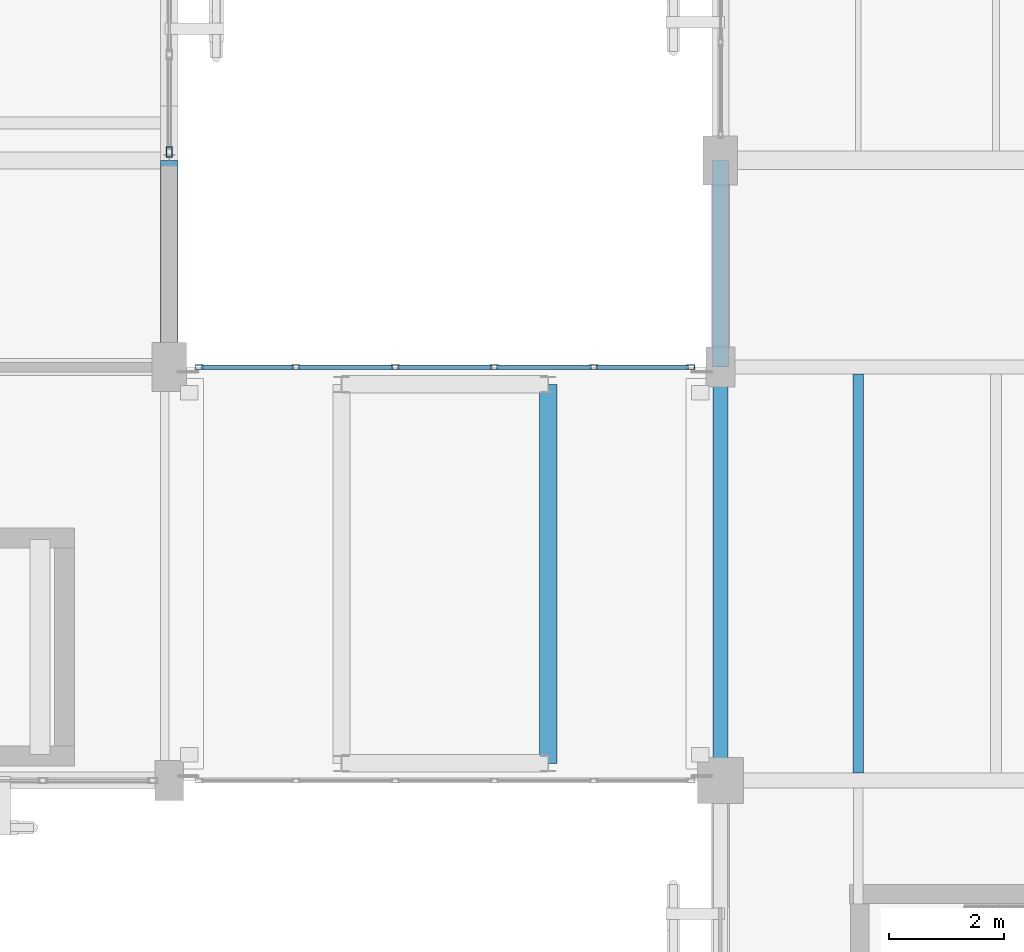
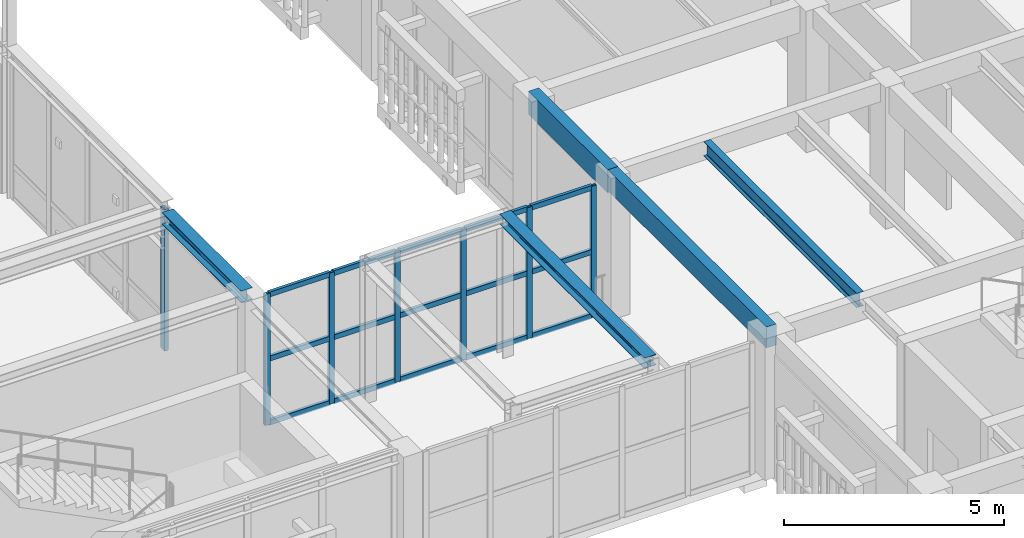
# One storey, part 80 of 170: 22 members, 5 beams, 2 elements without a shape of their own.
"""IFC4 building model written with IfcOpenShell, lengths in metres."""

from ifc_helpers import new_model, si_unit, direction, frame, origin, origin_2d, place, context, subcontext, project, spatial, rectangle, hollow_rectangle, i_section, extrude, material, layer, layer_set, material_profile, profile_set, type_object, element, aggregate, save


model = new_model("IFC4")

# Units and contexts
model_context = context("Model", 3, precision=1e-05, world=origin(), true_north=direction((0.0, 1.0)))
body_context = subcontext(model_context, "Body", "Model", "MODEL_VIEW")
ifc_project = project(units=[si_unit("LENGTHUNIT", "METRE"), si_unit("AREAUNIT", "SQUARE_METRE"), si_unit("VOLUMEUNIT", "CUBIC_METRE"), si_unit("PLANEANGLEUNIT", "RADIAN"), si_unit("MASSUNIT", "GRAM", prefix="KILO")], contexts=[model_context])

# Site, building, storey
site_placement = place(None, origin())
site = spatial("IfcSite", under=ifc_project, at=site_placement, CompositionType="ELEMENT")
building_placement = place(site_placement, origin())
building = spatial("IfcBuilding", under=site, at=building_placement, Name="Mazaris Harbour Polytechnic", CompositionType="ELEMENT")
storey_placement = place(building_placement, frame((0.0, 0.0, 5.39990234375)))
storey = spatial("IfcBuildingStorey", under=building, at=storey_placement, Name="L01", CompositionType="ELEMENT", Elevation=5.39990234375)

# Curtain wall, member
ifc_material_1 = material(Name="Anodised Bronze Aluminium and Low-E Glass", Category="aluminium")
ifc_layer_1 = layer(ifc_material_1, 0.14990234375, Name="Anodised Bronze Aluminium and Low-E Glass")
ifc_layer_set_1 = layer_set([ifc_layer_1], Name="Anodised Bronze Aluminium and Low-E Glass")
curtain_wall_type_1 = type_object("IfcCurtainWallType", Name="Workshop Clerestory Curtain Wall", PredefinedType="NOTDEFINED", material=ifc_layer_set_1)
curtain_wall_1_placement = place(storey_placement, origin())
curtain_wall_1 = element("IfcCurtainWall", 1, at=curtain_wall_1_placement, inside=storey, type_object=curtain_wall_type_1, Name="V1 L01 Curtain Wall 23", PredefinedType="NOTDEFINED")
ifc_material_2 = material(Name="Anodised Bronze Steel S355", Category="steel")
ifc_material_profile_1 = material_profile(ifc_material_2, hollow_rectangle(XDim=0.10009765625, YDim=0.179931640625, WallThickness=0.008056640625, at=origin_2d()), Name="RHS 100x180x8.0")
ifc_profile_set_1 = profile_set([ifc_material_profile_1], Name="Anodised Bronze Steel S355")
member_type_1 = type_object("IfcMemberType", Name="Curtain Mullion RHS100x180", PredefinedType="MULLION", material=ifc_profile_set_1)
member_1_placement = place(storey_placement, frame((112.800048828125, 86.547119140625, 0.0), z_axis=(0.0, 0.0, 1.0), x_axis=(1.0, 0.0, 0.0)))
member_1 = element("IfcMember", 2, at=member_1_placement, type_object=member_type_1, Name="CW-04 mullion 5", PredefinedType="MULLION", context=body_context, shape_type="SweptSolid", body=[
    extrude(hollow_rectangle(XDim=0.10009765625, YDim=0.179931640625, WallThickness=0.008056640625, at=origin_2d()), origin(), (0.0, 0.0, 1.0), 3.920166015625),
])
aggregate(curtain_wall_1, [member_1])

# Curtain wall, members
ifc_material_3 = material(Name="Anodised Bronze Aluminium and Low-E Glass", Category="aluminium")
ifc_layer_2 = layer(ifc_material_3, 0.139892578125, Name="Anodised Bronze Aluminium and Low-E Glass")
ifc_layer_set_2 = layer_set([ifc_layer_2], Name="Anodised Bronze Aluminium and Low-E Glass")
curtain_wall_type_2 = type_object("IfcCurtainWallType", Name="Seismic Link Bridge Glazing", PredefinedType="NOTDEFINED", material=ifc_layer_set_2)
curtain_wall_2_placement = place(storey_placement, origin())
curtain_wall_2 = element("IfcCurtainWall", 3, at=curtain_wall_2_placement, inside=storey, type_object=curtain_wall_type_2, Name="PB-E2 L01 Bridge Glazing", PredefinedType="NOTDEFINED")
ifc_material_4 = material(Name="Anodised Bronze Steel S355", Category="steel")
ifc_material_profile_2 = material_profile(ifc_material_4, hollow_rectangle(XDim=0.080078125, YDim=0.139892578125, WallThickness=0.00634765625, at=origin_2d()), Name="RHS 80x140x6.3")
ifc_profile_set_2 = profile_set([ifc_material_profile_2], Name="Anodised Bronze Steel S355")
member_type_2 = type_object("IfcMemberType", Name="Curtain Mullion RHS80x140", PredefinedType="MULLION", material=ifc_profile_set_2)
member_2_placement = place(storey_placement, frame((121.8798828125, 82.800048828125, 0.0), z_axis=(0.0, 0.0, 1.0), x_axis=(0.0, -1.0, 0.0)))
member_2 = element("IfcMember", 4, at=member_2_placement, type_object=member_type_2, Name="CW-05 mullion 1", PredefinedType="MULLION", context=body_context, shape_type="SweptSolid", body=[
    extrude(hollow_rectangle(XDim=0.080078125, YDim=0.139892578125, WallThickness=0.00634765625, at=origin_2d()), origin(), (0.0, 0.0, 1.0), 3.635009765625),
])
member_3_placement = place(storey_placement, frame((120.19189453125, 82.800048828125, 0.0), z_axis=(0.0, 0.0, 1.0), x_axis=(0.0, -1.0, 0.0)))
member_3 = element("IfcMember", 5, at=member_3_placement, type_object=member_type_2, Name="CW-05 mullion 2", PredefinedType="MULLION", context=body_context, shape_type="SweptSolid", body=[
    extrude(hollow_rectangle(XDim=0.080078125, YDim=0.139892578125, WallThickness=0.00634765625, at=origin_2d()), origin(), (0.0, 0.0, 1.0), 3.635009765625),
])
member_4_placement = place(storey_placement, frame((118.464111328125, 82.800048828125, 0.0), z_axis=(0.0, 0.0, 1.0), x_axis=(0.0, -1.0, 0.0)))
member_4 = element("IfcMember", 6, at=member_4_placement, type_object=member_type_2, Name="CW-05 mullion 3", PredefinedType="MULLION", context=body_context, shape_type="SweptSolid", body=[
    extrude(hollow_rectangle(XDim=0.080078125, YDim=0.139892578125, WallThickness=0.00634765625, at=origin_2d()), origin(), (0.0, 0.0, 1.0), 3.635009765625),
])
member_5_placement = place(storey_placement, frame((116.736083984375, 82.800048828125, 0.0), z_axis=(0.0, 0.0, 1.0), x_axis=(0.0, -1.0, 0.0)))
member_5 = element("IfcMember", 7, at=member_5_placement, type_object=member_type_2, Name="CW-05 mullion 4", PredefinedType="MULLION", context=body_context, shape_type="SweptSolid", body=[
    extrude(hollow_rectangle(XDim=0.080078125, YDim=0.139892578125, WallThickness=0.00634765625, at=origin_2d()), origin(), (0.0, 0.0, 1.0), 3.635009765625),
])
member_6_placement = place(storey_placement, frame((115.008056640625, 82.800048828125, 0.0), z_axis=(0.0, 0.0, 1.0), x_axis=(0.0, -1.0, 0.0)))
member_6 = element("IfcMember", 8, at=member_6_placement, type_object=member_type_2, Name="CW-05 mullion 5", PredefinedType="MULLION", context=body_context, shape_type="SweptSolid", body=[
    extrude(hollow_rectangle(XDim=0.080078125, YDim=0.139892578125, WallThickness=0.00634765625, at=origin_2d()), origin(), (0.0, 0.0, 1.0), 3.635009765625),
])
member_7_placement = place(storey_placement, frame((113.320068359375, 82.800048828125, 0.0), z_axis=(0.0, 0.0, 1.0), x_axis=(0.0, -1.0, 0.0)))
member_7 = element("IfcMember", 9, at=member_7_placement, type_object=member_type_2, Name="CW-05 mullion 6", PredefinedType="MULLION", context=body_context, shape_type="SweptSolid", body=[
    extrude(hollow_rectangle(XDim=0.080078125, YDim=0.139892578125, WallThickness=0.00634765625, at=origin_2d()), origin(), (0.0, 0.0, 1.0), 3.635009765625),
])
ifc_material_5 = material(Name="Anodised Bronze Steel S355", Category="steel")
ifc_material_profile_3 = material_profile(ifc_material_5, hollow_rectangle(XDim=0.080078125, YDim=0.139892578125, WallThickness=0.00634765625, at=origin_2d()), Name="RHS 80x140x6.3")
ifc_profile_set_3 = profile_set([ifc_material_profile_3], Name="Anodised Bronze Steel S355")
member_type_3 = type_object("IfcMemberType", Name="Curtain Transom RHS80x140", PredefinedType="USERDEFINED", material=ifc_profile_set_3)
member_8_placement = place(storey_placement, frame((121.840087890625, 82.800048828125, 0.0400390625), z_axis=(-1.0, 0.0, 0.0), x_axis=(0.0, -1.0, 0.0)))
member_8 = element("IfcMember", 10, at=member_8_placement, type_object=member_type_3, Name="CW-05 transom 1.1", ObjectType="TRANSOM", PredefinedType="USERDEFINED", context=body_context, shape_type="SweptSolid", body=[
    extrude(hollow_rectangle(XDim=0.080078125, YDim=0.139892578125, WallThickness=0.00634765625, at=origin_2d()), origin(), (0.0, 0.0, 1.0), 1.608154296875),
])
member_9_placement = place(storey_placement, frame((121.840087890625, 82.800048828125, 1.817626953125), z_axis=(-1.0, 0.0, 0.0), x_axis=(0.0, -1.0, 0.0)))
member_9 = element("IfcMember", 11, at=member_9_placement, type_object=member_type_3, Name="CW-05 transom 1.2", ObjectType="TRANSOM", PredefinedType="USERDEFINED", context=body_context, shape_type="SweptSolid", body=[
    extrude(hollow_rectangle(XDim=0.080078125, YDim=0.139892578125, WallThickness=0.00634765625, at=origin_2d()), origin(), (0.0, 0.0, 1.0), 1.608154296875),
])
member_10_placement = place(storey_placement, frame((121.840087890625, 82.800048828125, 3.59521484375), z_axis=(-1.0, 0.0, 0.0), x_axis=(0.0, -1.0, 0.0)))
member_10 = element("IfcMember", 12, at=member_10_placement, type_object=member_type_3, Name="CW-05 transom 1.3", ObjectType="TRANSOM", PredefinedType="USERDEFINED", context=body_context, shape_type="SweptSolid", body=[
    extrude(hollow_rectangle(XDim=0.080078125, YDim=0.139892578125, WallThickness=0.00634765625, at=origin_2d()), origin(), (0.0, 0.0, 1.0), 1.608154296875),
])
member_11_placement = place(storey_placement, frame((120.152099609375, 82.800048828125, 0.0400390625), z_axis=(-1.0, 0.0, 0.0), x_axis=(0.0, -1.0, 0.0)))
member_11 = element("IfcMember", 13, at=member_11_placement, type_object=member_type_3, Name="CW-05 transom 2.1", ObjectType="TRANSOM", PredefinedType="USERDEFINED", context=body_context, shape_type="SweptSolid", body=[
    extrude(hollow_rectangle(XDim=0.080078125, YDim=0.139892578125, WallThickness=0.00634765625, at=origin_2d()), origin(), (0.0, 0.0, 1.0), 1.648193359375),
])
member_12_placement = place(storey_placement, frame((120.152099609375, 82.800048828125, 1.817626953125), z_axis=(-1.0, 0.0, 0.0), x_axis=(0.0, -1.0, 0.0)))
member_12 = element("IfcMember", 14, at=member_12_placement, type_object=member_type_3, Name="CW-05 transom 2.2", ObjectType="TRANSOM", PredefinedType="USERDEFINED", context=body_context, shape_type="SweptSolid", body=[
    extrude(hollow_rectangle(XDim=0.080078125, YDim=0.139892578125, WallThickness=0.00634765625, at=origin_2d()), origin(), (0.0, 0.0, 1.0), 1.648193359375),
])
member_13_placement = place(storey_placement, frame((120.152099609375, 82.800048828125, 3.59521484375), z_axis=(-1.0, 0.0, 0.0), x_axis=(0.0, -1.0, 0.0)))
member_13 = element("IfcMember", 15, at=member_13_placement, type_object=member_type_3, Name="CW-05 transom 2.3", ObjectType="TRANSOM", PredefinedType="USERDEFINED", context=body_context, shape_type="SweptSolid", body=[
    extrude(hollow_rectangle(XDim=0.080078125, YDim=0.139892578125, WallThickness=0.00634765625, at=origin_2d()), origin(), (0.0, 0.0, 1.0), 1.648193359375),
])
member_14_placement = place(storey_placement, frame((118.424072265625, 82.800048828125, 0.0400390625), z_axis=(-1.0, 0.0, 0.0), x_axis=(0.0, -1.0, 0.0)))
member_14 = element("IfcMember", 16, at=member_14_placement, type_object=member_type_3, Name="CW-05 transom 3.1", ObjectType="TRANSOM", PredefinedType="USERDEFINED", context=body_context, shape_type="SweptSolid", body=[
    extrude(hollow_rectangle(XDim=0.080078125, YDim=0.139892578125, WallThickness=0.00634765625, at=origin_2d()), origin(), (0.0, 0.0, 1.0), 1.648193359375),
])
member_15_placement = place(storey_placement, frame((118.424072265625, 82.800048828125, 1.817626953125), z_axis=(-1.0, 0.0, 0.0), x_axis=(0.0, -1.0, 0.0)))
member_15 = element("IfcMember", 17, at=member_15_placement, type_object=member_type_3, Name="CW-05 transom 3.2", ObjectType="TRANSOM", PredefinedType="USERDEFINED", context=body_context, shape_type="SweptSolid", body=[
    extrude(hollow_rectangle(XDim=0.080078125, YDim=0.139892578125, WallThickness=0.00634765625, at=origin_2d()), origin(), (0.0, 0.0, 1.0), 1.648193359375),
])
member_16_placement = place(storey_placement, frame((118.424072265625, 82.800048828125, 3.59521484375), z_axis=(-1.0, 0.0, 0.0), x_axis=(0.0, -1.0, 0.0)))
member_16 = element("IfcMember", 18, at=member_16_placement, type_object=member_type_3, Name="CW-05 transom 3.3", ObjectType="TRANSOM", PredefinedType="USERDEFINED", context=body_context, shape_type="SweptSolid", body=[
    extrude(hollow_rectangle(XDim=0.080078125, YDim=0.139892578125, WallThickness=0.00634765625, at=origin_2d()), origin(), (0.0, 0.0, 1.0), 1.648193359375),
])
member_17_placement = place(storey_placement, frame((116.696044921875, 82.800048828125, 0.0400390625), z_axis=(-1.0, 0.0, 0.0), x_axis=(0.0, -1.0, 0.0)))
member_17 = element("IfcMember", 19, at=member_17_placement, type_object=member_type_3, Name="CW-05 transom 4.1", ObjectType="TRANSOM", PredefinedType="USERDEFINED", context=body_context, shape_type="SweptSolid", body=[
    extrude(hollow_rectangle(XDim=0.080078125, YDim=0.139892578125, WallThickness=0.00634765625, at=origin_2d()), origin(), (0.0, 0.0, 1.0), 1.64794921875),
])
member_18_placement = place(storey_placement, frame((116.696044921875, 82.800048828125, 1.817626953125), z_axis=(-1.0, 0.0, 0.0), x_axis=(0.0, -1.0, 0.0)))
member_18 = element("IfcMember", 20, at=member_18_placement, type_object=member_type_3, Name="CW-05 transom 4.2", ObjectType="TRANSOM", PredefinedType="USERDEFINED", context=body_context, shape_type="SweptSolid", body=[
    extrude(hollow_rectangle(XDim=0.080078125, YDim=0.139892578125, WallThickness=0.00634765625, at=origin_2d()), origin(), (0.0, 0.0, 1.0), 1.64794921875),
])
member_19_placement = place(storey_placement, frame((116.696044921875, 82.800048828125, 3.59521484375), z_axis=(-1.0, 0.0, 0.0), x_axis=(0.0, -1.0, 0.0)))
member_19 = element("IfcMember", 21, at=member_19_placement, type_object=member_type_3, Name="CW-05 transom 4.3", ObjectType="TRANSOM", PredefinedType="USERDEFINED", context=body_context, shape_type="SweptSolid", body=[
    extrude(hollow_rectangle(XDim=0.080078125, YDim=0.139892578125, WallThickness=0.00634765625, at=origin_2d()), origin(), (0.0, 0.0, 1.0), 1.64794921875),
])
member_20_placement = place(storey_placement, frame((114.968017578125, 82.800048828125, 0.0400390625), z_axis=(-1.0, 0.0, 0.0), x_axis=(0.0, -1.0, 0.0)))
member_20 = element("IfcMember", 22, at=member_20_placement, type_object=member_type_3, Name="CW-05 transom 5.1", ObjectType="TRANSOM", PredefinedType="USERDEFINED", context=body_context, shape_type="SweptSolid", body=[
    extrude(hollow_rectangle(XDim=0.080078125, YDim=0.139892578125, WallThickness=0.00634765625, at=origin_2d()), origin(), (0.0, 0.0, 1.0), 1.60791015625),
])
member_21_placement = place(storey_placement, frame((114.968017578125, 82.800048828125, 1.817626953125), z_axis=(-1.0, 0.0, 0.0), x_axis=(0.0, -1.0, 0.0)))
member_21 = element("IfcMember", 23, at=member_21_placement, type_object=member_type_3, Name="CW-05 transom 5.2", ObjectType="TRANSOM", PredefinedType="USERDEFINED", context=body_context, shape_type="SweptSolid", body=[
    extrude(hollow_rectangle(XDim=0.080078125, YDim=0.139892578125, WallThickness=0.00634765625, at=origin_2d()), origin(), (0.0, 0.0, 1.0), 1.60791015625),
])
member_22_placement = place(storey_placement, frame((114.968017578125, 82.800048828125, 3.59521484375), z_axis=(-1.0, 0.0, 0.0), x_axis=(0.0, -1.0, 0.0)))
member_22 = element("IfcMember", 24, at=member_22_placement, type_object=member_type_3, Name="CW-05 transom 5.3", ObjectType="TRANSOM", PredefinedType="USERDEFINED", context=body_context, shape_type="SweptSolid", body=[
    extrude(hollow_rectangle(XDim=0.080078125, YDim=0.139892578125, WallThickness=0.00634765625, at=origin_2d()), origin(), (0.0, 0.0, 1.0), 1.60791015625),
])
aggregate(curtain_wall_2, [member_2, member_3, member_4, member_5, member_6, member_7, member_8, member_9, member_10, member_11, member_12, member_13, member_14, member_15, member_16, member_17, member_18, member_19, member_20, member_21, member_22])

# Beams
ifc_material_6 = material(Name="Glulam GL32h", Category="wood")
ifc_material_profile_4 = material_profile(ifc_material_6, rectangle(XDim=0.260009765625, YDim=0.580078125, at=origin_2d()), Name="RECT260x580")
ifc_profile_set_4 = profile_set([ifc_material_profile_4], Name="Glulam GL32h")
beam_type_1 = type_object("IfcBeamType", Name="Glulam Girder 260x580 Exterior", PredefinedType="BEAM", material=ifc_profile_set_4)
beam_1_placement = place(storey_placement, frame((122.39990234375, 75.60009765625, 3.630126953125), z_axis=(0.0, 1.0, 0.0), x_axis=(-1.0, 0.0, 0.0)))
element("IfcBeam", 25, at=beam_1_placement, inside=storey, type_object=beam_type_1, Name="V5 L01 Tie Girder 2971", PredefinedType="BEAM", context=body_context, shape_type="SweptSolid", body=[
    extrude(rectangle(XDim=0.260009765625, YDim=0.580078125, at=origin_2d()), origin(), (0.0, 0.0, 1.0), 7.199951171875),
])
ifc_material_7 = material(Name="Glulam GL32h", Category="wood")
ifc_material_profile_5 = material_profile(ifc_material_7, rectangle(XDim=0.280029296875, YDim=0.639892578125, at=origin_2d()), Name="RECT280x640")
ifc_profile_set_5 = profile_set([ifc_material_profile_5], Name="Glulam GL32h")
beam_type_2 = type_object("IfcBeamType", Name="Glulam Girder 280x640 Exterior", PredefinedType="BEAM", material=ifc_profile_set_5)
beam_2_placement = place(storey_placement, frame((122.39990234375, 82.800048828125, 3.60009765625), z_axis=(0.0, 1.0, 0.0), x_axis=(-1.0, 0.0, 0.0)))
element("IfcBeam", 26, at=beam_2_placement, inside=storey, type_object=beam_type_2, Name="V5 L01 Tie Girder 2972", PredefinedType="BEAM", context=body_context, shape_type="SweptSolid", body=[
    extrude(rectangle(XDim=0.280029296875, YDim=0.639892578125, at=origin_2d()), origin(), (0.0, 0.0, 1.0), 3.599853515625),
])
ifc_material_8 = material(Name="Steel S355", Category="steel")
ifc_material_profile_6 = material_profile(ifc_material_8, i_section(OverallWidth=0.300048828125, OverallDepth=0.2900390625, WebThickness=0.008544921875, FlangeThickness=0.013916015625, FilletRadius=0.027099609375, at=origin_2d()), Name="HEA 300")
ifc_profile_set_6 = profile_set([ifc_material_profile_6], Name="Steel S355")
beam_type_3 = type_object("IfcBeamType", Name="Steel Beam HEA300 Exterior", PredefinedType="SPANDREL", material=ifc_profile_set_6)
beam_3_placement = place(storey_placement, frame((119.39990234375, 75.89990234375, 3.7900390625), z_axis=(0.0, 1.0, 0.0), x_axis=(-1.0, 0.0, 0.0)))
element("IfcBeam", 27, at=beam_3_placement, inside=storey, type_object=beam_type_3, Name="PB-E2 L01 Bridge Beam 3465", PredefinedType="SPANDREL", context=body_context, shape_type="SweptSolid", body=[
    extrude(i_section(OverallWidth=0.300048828125, OverallDepth=0.2900390625, WebThickness=0.008544921875, FlangeThickness=0.013916015625, FilletRadius=0.027099609375, at=origin_2d()), origin(), (0.0, 0.0, 1.0), 6.60009765625),
])
ifc_material_9 = material(Name="Steel S355", Category="steel")
ifc_material_profile_7 = material_profile(ifc_material_9, i_section(OverallWidth=0.300048828125, OverallDepth=0.330078125, WebThickness=0.009521484375, FlangeThickness=0.0166015625, FilletRadius=0.027099609375, at=origin_2d()), Name="HEA 340")
ifc_profile_set_7 = profile_set([ifc_material_profile_7], Name="Steel S355")
beam_type_4 = type_object("IfcBeamType", Name="Steel Beam HEA340 Exterior", PredefinedType="BEAM", material=ifc_profile_set_7)
beam_4_placement = place(storey_placement, frame((112.800048828125, 82.800048828125, 3.755126953125), z_axis=(0.0, 1.0, 0.0), x_axis=(-1.0, 0.0, 0.0)))
element("IfcBeam", 28, at=beam_4_placement, inside=storey, type_object=beam_type_4, Name="V1 L01 Tie Girder 268", PredefinedType="BEAM", context=body_context, shape_type="SweptSolid", body=[
    extrude(i_section(OverallWidth=0.300048828125, OverallDepth=0.330078125, WebThickness=0.009521484375, FlangeThickness=0.0166015625, FilletRadius=0.027099609375, at=origin_2d()), origin(), (0.0, 0.0, 1.0), 3.599853515625),
])
ifc_material_10 = material(Name="Steel S355", Category="steel")
ifc_material_profile_8 = material_profile(ifc_material_10, i_section(OverallWidth=0.179931640625, OverallDepth=0.39990234375, WebThickness=0.008544921875, FlangeThickness=0.013427734375, FilletRadius=0.02099609375, at=origin_2d()), Name="IPE 400")
ifc_profile_set_8 = profile_set([ifc_material_profile_8], Name="Steel S355")
beam_type_5 = type_object("IfcBeamType", Name="Steel Joist IPE400", PredefinedType="JOIST", material=ifc_profile_set_8)
beam_5_placement = place(storey_placement, frame((124.800048828125, 75.72998046875, 3.72021484375), z_axis=(0.0, 1.0, 0.0), x_axis=(-1.0, 0.0, 0.0)))
element("IfcBeam", 29, at=beam_5_placement, inside=storey, type_object=beam_type_5, Name="V5 L01 Floor Joist 3036", PredefinedType="JOIST", context=body_context, shape_type="SweptSolid", body=[
    extrude(i_section(OverallWidth=0.179931640625, OverallDepth=0.39990234375, WebThickness=0.008544921875, FlangeThickness=0.013427734375, FilletRadius=0.02099609375, at=origin_2d()), origin(), (0.0, 0.0, 1.0), 6.949951171875),
])

save(model, "model.ifc")
